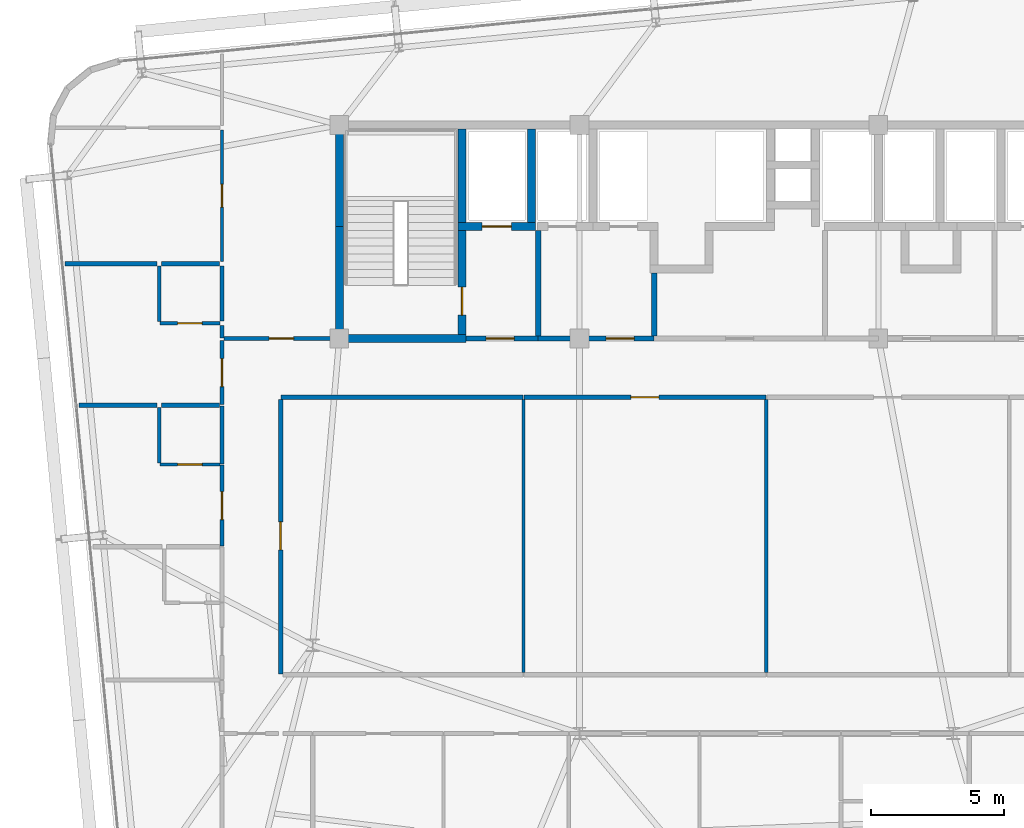
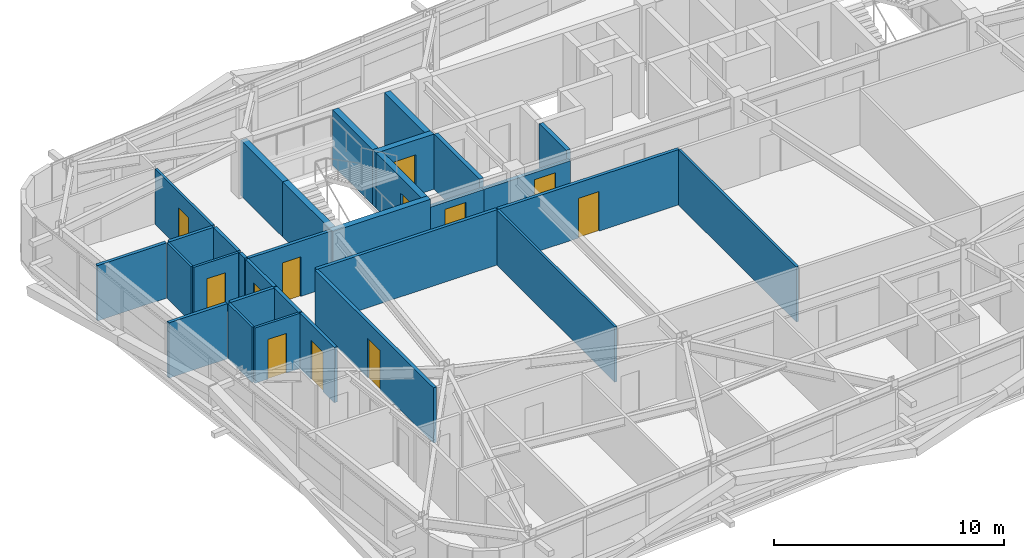
# One storey, part 47 of 53: 31 walls, 12 doors, 12 openings.
"""IFC4 building model written with IfcOpenShell, lengths in metres."""

from ifc_helpers import new_model, si_unit, direction, frame, frame_2d, origin, place, context, subcontext, project, spatial, rectangle, extrude, source, transform, mapped, material, layer, layer_set, type_object, element, fill, save


model = new_model("IFC4")

# Units and contexts
model_context = context("Model", 3, precision=1e-05, world=origin(), true_north=direction((0.0, 1.0)))
body_context = subcontext(model_context, "Body", "Model", "MODEL_VIEW")
ifc_project = project(units=[si_unit("LENGTHUNIT", "METRE"), si_unit("AREAUNIT", "SQUARE_METRE"), si_unit("VOLUMEUNIT", "CUBIC_METRE"), si_unit("PLANEANGLEUNIT", "RADIAN"), si_unit("MASSUNIT", "GRAM", prefix="KILO")], contexts=[model_context])

# Site, building, storey
site_placement = place(None, origin())
site = spatial("IfcSite", under=ifc_project, at=site_placement, CompositionType="ELEMENT")
building_placement = place(site_placement, origin())
building = spatial("IfcBuilding", under=site, at=building_placement, Name="Taldren Reach Tower", CompositionType="ELEMENT")
storey_placement = place(building_placement, frame((0.0, 0.0, 68.25)))
storey = spatial("IfcBuildingStorey", under=building, at=storey_placement, Name="L20", CompositionType="ELEMENT", Elevation=68.25)

# Wall, opening, door
ifc_material_1 = material(Name="Concrete S50 (50 MPa)", Category="concrete")
ifc_layer_1 = layer(ifc_material_1, 0.199951171875)
ifc_layer_set_1 = layer_set([ifc_layer_1], Name="Concrete S50 (50 MPa)")
wall_type_1 = type_object("IfcWallType", Name="IW-CORE-200", PredefinedType="SOLIDWALL", material=ifc_layer_set_1)
shared_shape_1 = source(origin(), body_context, "Body", "SweptSolid", [
    extrude(rectangle(XDim=4.35009765625, YDim=0.199951171875, at=frame_2d((2.175048828125, 0.0))), origin(), (0.0, 0.0, 1.0), 2.469970703125),
])
wall_1_placement = place(storey_placement, frame((30.800048828125, 24.0, 0.0), z_axis=(0.0, 0.0, 1.0), x_axis=(-1.0, 0.0, 0.0)))
wall_1 = element("IfcWall", 1, at=wall_1_placement, inside=storey, type_object=wall_type_1, Name="Rear Core Shear Wall W-INT-L20-033", PredefinedType="SOLIDWALL", context=body_context, shape_type="MappedRepresentation", body=[
    mapped(shared_shape_1, transform((0.0, 0.0, 0.0), scale=1.0)),
])
shared_shape_2 = source(origin(), body_context, "Body", "SweptSolid", [
    extrude(rectangle(XDim=1.050048828125, YDim=2.10009765625, at=frame_2d((0.52490234375, 1.050048828125))), frame((0.0, 0.10986328125, 0.0), z_axis=(0.0, -1.0, 0.0), x_axis=(1.0, 0.0, 0.0)), (0.0, 0.0, 1.0), 0.219970703125),
])
opening_1_placement = place(wall_1_placement, frame((0.75, 0.0, 0.0)))
opening_1 = element("IfcOpeningElement", 2, at=opening_1_placement, cuts=wall_1, Name="Opening DF-105", PredefinedType="OPENING", context=body_context, shape_type="MappedRepresentation", body=[
    mapped(shared_shape_2, transform((0.0, 0.0, 0.0), scale=1.0)),
])
ifc_material_2 = material(Name="Fire-Rated Care and Stair Exit Door")
door_type_1 = type_object("IfcDoorType", Name="ID-FIRE-105", OperationType="NOTDEFINED", PredefinedType="DOOR", material=ifc_material_2)
shared_shape_3 = source(origin(), body_context, "Body", "SweptSolid", [
    extrude(rectangle(XDim=1.050048828125, YDim=2.10009765625, at=frame_2d((0.52490234375, 1.050048828125))), frame((0.0, 0.02490234375, 0.0), z_axis=(0.0, -1.0, 0.0), x_axis=(1.0, 0.0, 0.0)), (0.0, 0.0, 1.0), 0.050048828125),
])
door_1_placement = place(opening_1_placement, frame((1.050048828125, 0.0, 0.0), z_axis=(0.0, 0.0, 1.0), x_axis=(-1.0, 0.0, 0.0)))
door_1 = element("IfcDoor", 3, at=door_1_placement, inside=storey, type_object=door_type_1, Name="Interior Door DR-L20-005", OperationType="SINGLE_SWING_RIGHT", OverallHeight=2.10009765625, OverallWidth=1.050048828125, PredefinedType="DOOR", context=body_context, shape_type="MappedRepresentation", body=[
    mapped(shared_shape_3, transform((0.0, 0.0, 0.0), scale=1.0)),
])
fill(opening_1, door_1)

ifc_material_3 = material(Name="Fire-Rated Acoustic Plasterboard Stud Wall", Category="gypsum")
ifc_layer_2 = layer(ifc_material_3, 0.159912109375)
ifc_layer_set_2 = layer_set([ifc_layer_2], Name="Fire-Rated Acoustic Plasterboard Stud Wall")
wall_type_2 = type_object("IfcWallType", Name="IW-FIRE-160", PredefinedType="PARTITIONING", material=ifc_layer_set_2)
shared_shape_4 = source(origin(), body_context, "Body", "SweptSolid", [
    extrude(rectangle(XDim=10.2998046875, YDim=0.159912109375, at=frame_2d((5.14990234375, 0.0))), origin(), (0.0, 0.0, 1.0), 2.929931640625),
])
wall_2_placement = place(storey_placement, frame((16.800048828125, 21.719970703125, 0.0), z_axis=(0.0, 0.0, 1.0), x_axis=(0.0, -1.0, 0.0)))
wall_2 = element("IfcWall", 4, at=wall_2_placement, inside=storey, type_object=wall_type_2, Name="Interior Partition Wall W-INT-L20-045", PredefinedType="PARTITIONING", context=body_context, shape_type="MappedRepresentation", body=[
    mapped(shared_shape_4, transform((0.0, 0.0, 0.0), scale=1.0)),
])
shared_shape_5 = source(origin(), body_context, "Body", "SweptSolid", [
    extrude(rectangle(XDim=1.050048828125, YDim=2.10009765625, at=frame_2d((0.52490234375, 1.050048828125))), frame((0.0, 0.08984375, 0.0), z_axis=(0.0, -1.0, 0.0), x_axis=(1.0, 0.0, 0.0)), (0.0, 0.0, 1.0), 0.179931640625),
])
opening_2_placement = place(wall_2_placement, frame((4.594970703125, 0.0, 0.0)))
opening_2 = element("IfcOpeningElement", 5, at=opening_2_placement, cuts=wall_2, Name="Opening DF-105", PredefinedType="OPENING", context=body_context, shape_type="MappedRepresentation", body=[
    mapped(shared_shape_5, transform((0.0, 0.0, 0.0), scale=1.0)),
])
door_2_placement = place(opening_2_placement, origin())
door_2 = element("IfcDoor", 6, at=door_2_placement, inside=storey, type_object=door_type_1, Name="Interior Door DR-L20-008", OperationType="SINGLE_SWING_LEFT", OverallHeight=2.10009765625, OverallWidth=1.050048828125, PredefinedType="DOOR", context=body_context, shape_type="MappedRepresentation", body=[
    mapped(shared_shape_3, transform((0.0, 0.0, 0.0), scale=1.0)),
])
fill(opening_2, door_2)

shared_shape_6 = source(origin(), body_context, "Body", "SweptSolid", [
    extrude(rectangle(XDim=2.399658203125, YDim=0.159912109375, at=frame_2d((1.19970703125, 0.0))), origin(), (0.0, 0.0, 1.0), 2.929931640625),
])
wall_3_placement = place(storey_placement, frame((14.60009765625, 21.520263671875, 0.0), z_axis=(0.0, 0.0, 1.0), x_axis=(0.0, 1.0, 0.0)))
wall_3 = element("IfcWall", 7, at=wall_3_placement, inside=storey, type_object=wall_type_2, Name="Interior Partition Wall W-INT-L20-058", PredefinedType="PARTITIONING", context=body_context, shape_type="MappedRepresentation", body=[
    mapped(shared_shape_6, transform((0.0, 0.0, 0.0), scale=1.0)),
])
opening_3_placement = place(wall_3_placement, frame((0.6748046875, 0.0, 0.0)))
opening_3 = element("IfcOpeningElement", 8, at=opening_3_placement, cuts=wall_3, Name="Opening DF-105", PredefinedType="OPENING", context=body_context, shape_type="MappedRepresentation", body=[
    mapped(shared_shape_5, transform((0.0, 0.0, 0.0), scale=1.0)),
])
door_3_placement = place(opening_3_placement, origin())
door_3 = element("IfcDoor", 9, at=door_3_placement, inside=storey, type_object=door_type_1, Name="Interior Door DR-L20-017", OperationType="SINGLE_SWING_RIGHT", OverallHeight=2.10009765625, OverallWidth=1.050048828125, PredefinedType="DOOR", context=body_context, shape_type="MappedRepresentation", body=[
    mapped(shared_shape_3, transform((0.0, 0.0, 0.0), scale=1.0)),
])
fill(opening_3, door_3)

# Walls
ifc_material_4 = material(Name="Insulated Residential Stud Partition", Category="gypsum")
ifc_layer_3 = layer(ifc_material_4, 0.1201171875)
ifc_layer_set_3 = layer_set([ifc_layer_3], Name="Insulated Residential Stud Partition")
wall_type_3 = type_object("IfcWallType", Name="IW-PART-120", PredefinedType="PARTITIONING", material=ifc_layer_set_3)
shared_shape_7 = source(origin(), body_context, "Body", "SweptSolid", [
    extrude(rectangle(XDim=10.239990234375, YDim=0.1201171875, at=frame_2d((5.1201171875, 0.0))), origin(), (0.0, 0.0, 1.0), 2.929931640625),
])
for number, where, z_axis, x_axis, name in (
    (10, (25.89990234375, 21.719970703125, 0.0), (0.0, 0.0, 1.0), (0.0, -1.0, 0.0), "Interior Partition Wall W-INT-L20-078"),
    (11, (35.0, 21.719970703125, 0.0), (0.0, 0.0, 1.0), (0.0, -1.0, 0.0), "Interior Partition Wall W-INT-L20-079"),
):
    element("IfcWall", number, at=place(storey_placement, frame(where, z_axis=z_axis, x_axis=x_axis)), inside=storey, type_object=wall_type_3, Name=name, PredefinedType="PARTITIONING", context=body_context, shape_type="MappedRepresentation", body=[
        mapped(shared_shape_7, transform((0.0, 0.0, 0.0), scale=1.0)),
    ])
ifc_material_5 = material(Name="Concrete S65 (65 MPa)", Category="concrete")
ifc_layer_4 = layer(ifc_material_5, 0.300048828125)
ifc_layer_set_4 = layer_set([ifc_layer_4], Name="Concrete S65 (65 MPa)")
wall_type_4 = type_object("IfcWallType", Name="IW-CORE-300", PredefinedType="SHEAR", material=ifc_layer_set_4)
shared_shape_8 = source(origin(), body_context, "Body", "SweptSolid", [
    extrude(rectangle(XDim=4.050048828125, YDim=0.300048828125, at=frame_2d((2.02490234375, 0.0))), origin(), (0.0, 0.0, 1.0), 2.929931640625),
])
wall_4_placement = place(storey_placement, frame((19.0, 24.14990234375, 0.0), z_axis=(0.0, 0.0, 1.0), x_axis=(0.0, 1.0, 0.0)))
element("IfcWall", 12, at=wall_4_placement, inside=storey, type_object=wall_type_4, Name="Rear Core Shear Wall W-CORE-L20-WEST1", PredefinedType="SHEAR", context=body_context, shape_type="MappedRepresentation", body=[
    mapped(shared_shape_8, transform((0.0, 0.0, 0.0), scale=1.0)),
])
shared_shape_9 = source(origin(), body_context, "Body", "SweptSolid", [
    extrude(rectangle(XDim=3.650146484375, YDim=0.300048828125, at=frame_2d((1.8251953125, 0.0))), origin(), (0.0, 0.0, 1.0), 2.929931640625),
])
wall_5_placement = place(storey_placement, frame((19.0, 28.199951171875, 0.0), z_axis=(0.0, 0.0, 1.0), x_axis=(0.0, 1.0, 0.0)))
element("IfcWall", 13, at=wall_5_placement, inside=storey, type_object=wall_type_4, Name="Rear Core Shear Wall W-CORE-L20-WEST2", PredefinedType="SHEAR", context=body_context, shape_type="MappedRepresentation", body=[
    mapped(shared_shape_9, transform((0.0, 0.0, 0.0), scale=1.0)),
])
shared_shape_10 = source(origin(), body_context, "Body", "SweptSolid", [
    extrude(rectangle(XDim=3.5, YDim=0.300048828125, at=frame_2d((1.75, 0.0))), origin(), (0.0, 0.0, 1.0), 2.929931640625),
])
for number, where, z_axis, x_axis, name in (
    (14, (23.60009765625, 28.35009765625, 0.0), (0.0, 0.0, 1.0), (0.0, 1.0, 0.0), "Rear Core Shear Wall W-INT-L20-001"),
    (15, (26.199951171875, 28.35009765625, 0.0), (0.0, 0.0, 1.0), (0.0, 1.0, 0.0), "Rear Core Shear Wall W-INT-L20-005"),
):
    element("IfcWall", number, at=place(storey_placement, frame(where, z_axis=z_axis, x_axis=x_axis)), inside=storey, type_object=wall_type_4, Name=name, PredefinedType="SHEAR", context=body_context, shape_type="MappedRepresentation", body=[
        mapped(shared_shape_10, transform((0.0, 0.0, 0.0), scale=1.0)),
    ])

# Wall, opening, door
shared_shape_11 = source(origin(), body_context, "Body", "SweptSolid", [
    extrude(rectangle(XDim=3.900146484375, YDim=0.300048828125, at=frame_2d((1.9501953125, 0.0))), origin(), (0.0, 0.0, 1.0), 2.929931640625),
])
wall_6_placement = place(storey_placement, frame((23.60009765625, 24.14990234375, 0.0), z_axis=(0.0, 0.0, 1.0), x_axis=(0.0, 1.0, 0.0)))
wall_6 = element("IfcWall", 16, at=wall_6_placement, inside=storey, type_object=wall_type_4, Name="Rear Core Shear Wall W-INT-L20-002", PredefinedType="SHEAR", context=body_context, shape_type="MappedRepresentation", body=[
    mapped(shared_shape_11, transform((0.0, 0.0, 0.0), scale=1.0)),
])
shared_shape_12 = source(origin(), body_context, "Body", "SweptSolid", [
    extrude(rectangle(XDim=1.050048828125, YDim=2.10009765625, at=frame_2d((0.52490234375, 1.050048828125))), frame((0.0, 0.16015625, 0.0), z_axis=(0.0, -1.0, 0.0), x_axis=(1.0, 0.0, 0.0)), (0.0, 0.0, 1.0), 0.320068359375),
])
opening_4_placement = place(wall_6_placement, frame((0.72509765625, 0.0, 0.0)))
opening_4 = element("IfcOpeningElement", 17, at=opening_4_placement, cuts=wall_6, Name="Opening DF-105", PredefinedType="OPENING", context=body_context, shape_type="MappedRepresentation", body=[
    mapped(shared_shape_12, transform((0.0, 0.0, 0.0), scale=1.0)),
])
door_4_placement = place(opening_4_placement, origin())
door_4 = element("IfcDoor", 18, at=door_4_placement, inside=storey, type_object=door_type_1, Name="Fire Exit Stair Door DR-L20-001", OperationType="SINGLE_SWING_LEFT", OverallHeight=2.10009765625, OverallWidth=1.050048828125, PredefinedType="DOOR", context=body_context, shape_type="MappedRepresentation", body=[
    mapped(shared_shape_3, transform((0.0, 0.0, 0.0), scale=1.0)),
])
fill(opening_4, door_4)

# Wall
shared_shape_13 = source(origin(), body_context, "Body", "SweptSolid", [
    extrude(rectangle(XDim=4.89990234375, YDim=0.300048828125, at=frame_2d((2.449951171875, 0.0))), origin(), (0.0, 0.0, 1.0), 2.929931640625),
])
wall_7_placement = place(storey_placement, frame((18.85009765625, 24.0, 0.0), z_axis=(0.0, 0.0, 1.0), x_axis=(1.0, 0.0, 0.0)))
element("IfcWall", 19, at=wall_7_placement, inside=storey, type_object=wall_type_4, Name="Rear Core Shear Wall W-INT-L20-003", PredefinedType="SHEAR", context=body_context, shape_type="MappedRepresentation", body=[
    mapped(shared_shape_13, transform((0.0, 0.0, 0.0), scale=1.0)),
])

# Wall, opening, door
shared_shape_14 = source(origin(), body_context, "Body", "SweptSolid", [
    extrude(rectangle(XDim=2.900146484375, YDim=0.300048828125, at=frame_2d((1.4501953125, 0.0))), origin(), (0.0, 0.0, 1.0), 2.929931640625),
])
wall_8_placement = place(storey_placement, frame((23.449951171875, 28.199951171875, 0.0), z_axis=(0.0, 0.0, 1.0), x_axis=(1.0, 0.0, 0.0)))
wall_8 = element("IfcWall", 20, at=wall_8_placement, inside=storey, type_object=wall_type_4, Name="Rear Core Shear Wall W-INT-L20-004", PredefinedType="SHEAR", context=body_context, shape_type="MappedRepresentation", body=[
    mapped(shared_shape_14, transform((0.0, 0.0, 0.0), scale=1.0)),
])
shared_shape_15 = source(origin(), body_context, "Body", "SweptSolid", [
    extrude(rectangle(XDim=1.10009765625, YDim=2.14990234375, at=frame_2d((0.550048828125, 1.074951171875))), frame((0.0, 0.16015625, 0.0), z_axis=(0.0, -1.0, 0.0), x_axis=(1.0, 0.0, 0.0)), (0.0, 0.0, 1.0), 0.320068359375),
])
opening_5_placement = place(wall_8_placement, frame((0.89990234375, 0.0, 0.0)))
opening_5 = element("IfcOpeningElement", 21, at=opening_5_placement, cuts=wall_8, Name="Opening LD-FL1", PredefinedType="OPENING", context=body_context, shape_type="MappedRepresentation", body=[
    mapped(shared_shape_15, transform((0.0, 0.0, 0.0), scale=1.0)),
])
ifc_material_6 = material(Name="Stainless Steel Gr 316 Emergency Lift Landing Door", Category="steel")
door_type_2 = type_object("IfcDoorType", Name="LD-EMG-110", OperationType="SLIDING_TO_LEFT", PredefinedType="DOOR", material=ifc_material_6)
shared_shape_16 = source(origin(), body_context, "Body", "SweptSolid", [
    extrude(rectangle(XDim=1.10009765625, YDim=2.14990234375, at=frame_2d((0.550048828125, 1.074951171875))), frame((0.0, 0.02490234375, 0.0), z_axis=(0.0, -1.0, 0.0), x_axis=(1.0, 0.0, 0.0)), (0.0, 0.0, 1.0), 0.050048828125),
])
door_5_placement = place(opening_5_placement, origin())
door_5 = element("IfcDoor", 22, at=door_5_placement, inside=storey, type_object=door_type_2, Name="Lift Landing Door LD-FL1-L20", OperationType="SLIDING_TO_LEFT", OverallHeight=2.14990234375, OverallWidth=1.10009765625, PredefinedType="DOOR", context=body_context, shape_type="MappedRepresentation", body=[
    mapped(shared_shape_16, transform((0.0, 0.0, 0.0), scale=1.0)),
])
fill(opening_5, door_5)

# Wall
shared_shape_17 = source(origin(), body_context, "Body", "SweptSolid", [
    extrude(rectangle(XDim=3.949951171875, YDim=0.199951171875, at=frame_2d((1.97509765625, 0.0))), origin(), (0.0, 0.0, 1.0), 2.929931640625),
])
wall_9_placement = place(storey_placement, frame((26.449951171875, 24.10009765625, 0.0), z_axis=(0.0, 0.0, 1.0), x_axis=(0.0, 1.0, 0.0)))
element("IfcWall", 23, at=wall_9_placement, inside=storey, type_object=wall_type_1, Name="Rear Core Shear Wall W-INT-L20-006", PredefinedType="SOLIDWALL", context=body_context, shape_type="MappedRepresentation", body=[
    mapped(shared_shape_17, transform((0.0, 0.0, 0.0), scale=1.0)),
])

# Wall, opening, door
shared_shape_18 = source(origin(), body_context, "Body", "SweptSolid", [
    extrude(rectangle(XDim=2.699951171875, YDim=0.199951171875, at=frame_2d((1.35009765625, 0.0))), origin(), (0.0, 0.0, 1.0), 2.469970703125),
])
wall_10_placement = place(storey_placement, frame((23.75, 24.0, 0.0), z_axis=(0.0, 0.0, 1.0), x_axis=(1.0, 0.0, 0.0)))
wall_10 = element("IfcWall", 24, at=wall_10_placement, inside=storey, type_object=wall_type_1, Name="Rear Core Shear Wall W-INT-L20-007", PredefinedType="SOLIDWALL", context=body_context, shape_type="MappedRepresentation", body=[
    mapped(shared_shape_18, transform((0.0, 0.0, 0.0), scale=1.0)),
])
opening_6_placement = place(wall_10_placement, frame((0.75, 0.0, 0.0)))
opening_6 = element("IfcOpeningElement", 25, at=opening_6_placement, cuts=wall_10, Name="Opening DF-105", PredefinedType="OPENING", context=body_context, shape_type="MappedRepresentation", body=[
    mapped(shared_shape_2, transform((0.0, 0.0, 0.0), scale=1.0)),
])
door_6_placement = place(opening_6_placement, origin())
door_6 = element("IfcDoor", 26, at=door_6_placement, inside=storey, type_object=door_type_1, Name="Interior Door DR-L20-002", OperationType="SINGLE_SWING_LEFT", OverallHeight=2.10009765625, OverallWidth=1.050048828125, PredefinedType="DOOR", context=body_context, shape_type="MappedRepresentation", body=[
    mapped(shared_shape_3, transform((0.0, 0.0, 0.0), scale=1.0)),
])
fill(opening_6, door_6)

# Wall
shared_shape_19 = source(origin(), body_context, "Body", "SweptSolid", [
    extrude(rectangle(XDim=2.349853515625, YDim=0.199951171875, at=frame_2d((1.1748046875, 0.0))), origin(), (0.0, 0.0, 1.0), 2.929931640625),
])
wall_11_placement = place(storey_placement, frame((30.800048828125, 26.449951171875, 0.0), z_axis=(0.0, 0.0, 1.0), x_axis=(0.0, -1.0, 0.0)))
element("IfcWall", 27, at=wall_11_placement, inside=storey, type_object=wall_type_1, Name="Rear Core Shear Wall W-INT-L20-032", PredefinedType="SOLIDWALL", context=body_context, shape_type="MappedRepresentation", body=[
    mapped(shared_shape_19, transform((0.0, 0.0, 0.0), scale=1.0)),
])

# Wall, opening, door
shared_shape_20 = source(origin(), body_context, "Body", "SweptSolid", [
    extrude(rectangle(XDim=4.170166015625, YDim=0.159912109375, at=frame_2d((2.0849609375, 0.0))), origin(), (0.0, 0.0, 1.0), 2.929931640625),
])
wall_12_placement = place(storey_placement, frame((14.679931640625, 24.0, 0.0), z_axis=(0.0, 0.0, 1.0), x_axis=(1.0, 0.0, 0.0)))
wall_12 = element("IfcWall", 28, at=wall_12_placement, inside=storey, type_object=wall_type_2, Name="Interior Partition Wall W-INT-L20-063", PredefinedType="PARTITIONING", context=body_context, shape_type="MappedRepresentation", body=[
    mapped(shared_shape_20, transform((0.0, 0.0, 0.0), scale=1.0)),
])
shared_shape_21 = source(origin(), body_context, "Body", "SweptSolid", [
    extrude(rectangle(XDim=0.919921875, YDim=2.10009765625, at=frame_2d((0.4599609375, 1.050048828125))), frame((0.0, 0.08984375, 0.0), z_axis=(0.0, -1.0, 0.0), x_axis=(1.0, 0.0, 0.0)), (0.0, 0.0, 1.0), 0.179931640625),
])
opening_7_placement = place(wall_12_placement, frame((1.68994140625, 0.0, 0.0)))
opening_7 = element("IfcOpeningElement", 29, at=opening_7_placement, cuts=wall_12, Name="Opening DI-092", PredefinedType="OPENING", context=body_context, shape_type="MappedRepresentation", body=[
    mapped(shared_shape_21, transform((0.0, 0.0, 0.0), scale=1.0)),
])
ifc_material_7 = material(Name="Solid-Core Timber Suite Door", Category="wood")
door_type_3 = type_object("IfcDoorType", Name="ID-INT-092", OperationType="NOTDEFINED", PredefinedType="DOOR", material=ifc_material_7)
shared_shape_22 = source(origin(), body_context, "Body", "SweptSolid", [
    extrude(rectangle(XDim=0.919921875, YDim=2.10009765625, at=frame_2d((0.4599609375, 1.050048828125))), frame((0.0, 0.02490234375, 0.0), z_axis=(0.0, -1.0, 0.0), x_axis=(1.0, 0.0, 0.0)), (0.0, 0.0, 1.0), 0.050048828125),
])
door_7_placement = place(opening_7_placement, origin())
door_7 = element("IfcDoor", 30, at=door_7_placement, inside=storey, type_object=door_type_3, Name="Interior Door DR-L20-022", OperationType="SINGLE_SWING_LEFT", OverallHeight=2.10009765625, OverallWidth=0.919921875, PredefinedType="DOOR", context=body_context, shape_type="MappedRepresentation", body=[
    mapped(shared_shape_22, transform((0.0, 0.0, 0.0), scale=1.0)),
])
fill(opening_7, door_7)

shared_shape_23 = source(origin(), body_context, "Body", "SweptSolid", [
    extrude(rectangle(XDim=2.249755859375, YDim=0.1201171875, at=frame_2d((1.125, 0.0))), origin(), (0.0, 0.0, 1.0), 2.929931640625),
])
wall_13_placement = place(storey_placement, frame((12.270263671875, 19.27392578125, 0.0), z_axis=(0.0, 0.0, 1.0), x_axis=(1.0, 0.0, 0.0)))
wall_13 = element("IfcWall", 31, at=wall_13_placement, inside=storey, type_object=wall_type_3, Name="Interior Partition Wall W-INT-L20-119", PredefinedType="PARTITIONING", context=body_context, shape_type="MappedRepresentation", body=[
    mapped(shared_shape_23, transform((0.0, 0.0, 0.0), scale=1.0)),
])
shared_shape_24 = source(origin(), body_context, "Body", "SweptSolid", [
    extrude(rectangle(XDim=0.919921875, YDim=2.10009765625, at=frame_2d((0.4599609375, 1.050048828125))), frame((0.0, 0.070068359375, 0.0), z_axis=(0.0, -1.0, 0.0), x_axis=(1.0, 0.0, 0.0)), (0.0, 0.0, 1.0), 0.14013671875),
])
opening_8_placement = place(wall_13_placement, frame((0.664794921875, 0.0, 0.0)))
opening_8 = element("IfcOpeningElement", 32, at=opening_8_placement, cuts=wall_13, Name="Opening DI-092", PredefinedType="OPENING", context=body_context, shape_type="MappedRepresentation", body=[
    mapped(shared_shape_24, transform((0.0, 0.0, 0.0), scale=1.0)),
])
door_8_placement = place(opening_8_placement, origin())
door_8 = element("IfcDoor", 33, at=door_8_placement, inside=storey, type_object=door_type_3, Name="Interior Door DR-L20-036", OperationType="SINGLE_SWING_LEFT", OverallHeight=2.10009765625, OverallWidth=0.919921875, PredefinedType="DOOR", context=body_context, shape_type="MappedRepresentation", body=[
    mapped(shared_shape_22, transform((0.0, 0.0, 0.0), scale=1.0)),
])
fill(opening_8, door_8)

wall_14_placement = place(storey_placement, frame((12.270263671875, 24.573974609375, 0.0), z_axis=(0.0, 0.0, 1.0), x_axis=(1.0, 0.0, 0.0)))
wall_14 = element("IfcWall", 34, at=wall_14_placement, inside=storey, type_object=wall_type_3, Name="Interior Partition Wall W-INT-L20-123", PredefinedType="PARTITIONING", context=body_context, shape_type="MappedRepresentation", body=[
    mapped(shared_shape_23, transform((0.0, 0.0, 0.0), scale=1.0)),
])
opening_9_placement = place(wall_14_placement, frame((0.664794921875, 0.0, 0.0)))
opening_9 = element("IfcOpeningElement", 35, at=opening_9_placement, cuts=wall_14, Name="Opening DI-092", PredefinedType="OPENING", context=body_context, shape_type="MappedRepresentation", body=[
    mapped(shared_shape_24, transform((0.0, 0.0, 0.0), scale=1.0)),
])
door_9_placement = place(opening_9_placement, origin())
door_9 = element("IfcDoor", 36, at=door_9_placement, inside=storey, type_object=door_type_3, Name="Interior Door DR-L20-037", OperationType="SINGLE_SWING_RIGHT", OverallHeight=2.10009765625, OverallWidth=0.919921875, PredefinedType="DOOR", context=body_context, shape_type="MappedRepresentation", body=[
    mapped(shared_shape_22, transform((0.0, 0.0, 0.0), scale=1.0)),
])
fill(opening_9, door_9)

# Walls
shared_shape_25 = source(origin(), body_context, "Body", "SweptSolid", [
    extrude(rectangle(XDim=2.18798828125, YDim=0.159912109375, at=frame_2d((1.093994140625, 0.0))), origin(), (0.0, 0.0, 1.0), 2.929931640625),
])
for number, where, z_axis, x_axis, name in (
    (37, (12.330078125, 21.5, 0.0), (0.0, 0.0, 1.0), (1.0, 0.0, 0.0), "Interior Partition Wall W-INT-L20-122"),
    (38, (12.330078125, 26.800048828125, 0.0), (0.0, 0.0, 1.0), (1.0, 0.0, 0.0), "Interior Partition Wall W-INT-L20-127"),
):
    element("IfcWall", number, at=place(storey_placement, frame(where, z_axis=z_axis, x_axis=x_axis)), inside=storey, type_object=wall_type_2, Name=name, PredefinedType="PARTITIONING", context=body_context, shape_type="MappedRepresentation", body=[
        mapped(shared_shape_25, transform((0.0, 0.0, 0.0), scale=1.0)),
    ])
shared_shape_26 = source(origin(), body_context, "Body", "SweptSolid", [
    extrude(rectangle(XDim=9.0595703125, YDim=0.159912109375, at=frame_2d((4.52978515625, 0.0))), origin(), (0.0, 0.0, 1.0), 2.929931640625),
])
wall_15_placement = place(storey_placement, frame((25.8798828125, 21.800048828125, 0.0), z_axis=(0.0, 0.0, 1.0), x_axis=(-1.0, 0.0, 0.0)))
element("IfcWall", 39, at=wall_15_placement, inside=storey, type_object=wall_type_2, Name="Interior Partition Wall W-INT-L20-046", PredefinedType="PARTITIONING", context=body_context, shape_type="MappedRepresentation", body=[
    mapped(shared_shape_26, transform((0.0, 0.0, 0.0), scale=1.0)),
])

# Wall, opening, door
wall_16_placement = place(storey_placement, frame((34.979736328125, 21.800048828125, 0.0), z_axis=(0.0, 0.0, 1.0), x_axis=(-1.0, 0.0, 0.0)))
wall_16 = element("IfcWall", 40, at=wall_16_placement, inside=storey, type_object=wall_type_2, Name="Interior Partition Wall W-INT-L20-047", PredefinedType="PARTITIONING", context=body_context, shape_type="MappedRepresentation", body=[
    mapped(shared_shape_26, transform((0.0, 0.0, 0.0), scale=1.0)),
])
opening_10_placement = place(wall_16_placement, frame((4.0048828125, 0.0, 0.0)))
opening_10 = element("IfcOpeningElement", 41, at=opening_10_placement, cuts=wall_16, Name="Opening DF-105", PredefinedType="OPENING", context=body_context, shape_type="MappedRepresentation", body=[
    mapped(shared_shape_5, transform((0.0, 0.0, 0.0), scale=1.0)),
])
door_10_placement = place(opening_10_placement, origin())
door_10 = element("IfcDoor", 42, at=door_10_placement, inside=storey, type_object=door_type_1, Name="Interior Door DR-L20-009", OperationType="SINGLE_SWING_RIGHT", OverallHeight=2.10009765625, OverallWidth=1.050048828125, PredefinedType="DOOR", context=body_context, shape_type="MappedRepresentation", body=[
    mapped(shared_shape_3, transform((0.0, 0.0, 0.0), scale=1.0)),
])
fill(opening_10, door_10)

shared_shape_27 = source(origin(), body_context, "Body", "SweptSolid", [
    extrude(rectangle(XDim=3.03369140625, YDim=0.159912109375, at=frame_2d((1.516845703125, 0.0))), origin(), (0.0, 0.0, 1.0), 2.929931640625),
])
wall_17_placement = place(storey_placement, frame((14.60009765625, 16.22021484375, 0.0), z_axis=(0.0, 0.0, 1.0), x_axis=(0.0, 1.0, 0.0)))
wall_17 = element("IfcWall", 43, at=wall_17_placement, inside=storey, type_object=wall_type_2, Name="Interior Partition Wall W-INT-L20-056", PredefinedType="PARTITIONING", context=body_context, shape_type="MappedRepresentation", body=[
    mapped(shared_shape_27, transform((0.0, 0.0, 0.0), scale=1.0)),
])
opening_11_placement = place(wall_17_placement, frame((0.99169921875, 0.0, 0.0)))
opening_11 = element("IfcOpeningElement", 44, at=opening_11_placement, cuts=wall_17, Name="Opening DF-105", PredefinedType="OPENING", context=body_context, shape_type="MappedRepresentation", body=[
    mapped(shared_shape_5, transform((0.0, 0.0, 0.0), scale=1.0)),
])
door_11_placement = place(opening_11_placement, origin())
door_11 = element("IfcDoor", 45, at=door_11_placement, inside=storey, type_object=door_type_1, Name="Interior Door DR-L20-016", OperationType="SINGLE_SWING_LEFT", OverallHeight=2.10009765625, OverallWidth=1.050048828125, PredefinedType="DOOR", context=body_context, shape_type="MappedRepresentation", body=[
    mapped(shared_shape_3, transform((0.0, 0.0, 0.0), scale=1.0)),
])
fill(opening_11, door_11)

# Walls
shared_shape_28 = source(origin(), body_context, "Body", "SweptSolid", [
    extrude(rectangle(XDim=2.185546875, YDim=0.159912109375, at=frame_2d((1.0927734375, 0.0))), origin(), (0.0, 0.0, 1.0), 2.929931640625),
])
wall_18_placement = place(storey_placement, frame((14.60009765625, 19.294189453125, 0.0), z_axis=(0.0, 0.0, 1.0), x_axis=(0.0, 1.0, 0.0)))
element("IfcWall", 46, at=wall_18_placement, inside=storey, type_object=wall_type_2, Name="Interior Partition Wall W-INT-L20-057", PredefinedType="PARTITIONING", context=body_context, shape_type="MappedRepresentation", body=[
    mapped(shared_shape_28, transform((0.0, 0.0, 0.0), scale=1.0)),
])
shared_shape_29 = source(origin(), body_context, "Body", "SweptSolid", [
    extrude(rectangle(XDim=2.0859375, YDim=0.1201171875, at=frame_2d((1.04296875, 0.0))), origin(), (0.0, 0.0, 1.0), 2.929931640625),
])
for number, where, z_axis, x_axis, name in (
    (47, (12.25, 21.419921875, 0.0), (0.0, 0.0, 1.0), (0.0, -1.0, 0.0), "Interior Partition Wall W-INT-L20-120"),
    (48, (12.25, 26.719970703125, 0.0), (0.0, 0.0, 1.0), (0.0, -1.0, 0.0), "Interior Partition Wall W-INT-L20-124"),
):
    element("IfcWall", number, at=place(storey_placement, frame(where, z_axis=z_axis, x_axis=x_axis)), inside=storey, type_object=wall_type_3, Name=name, PredefinedType="PARTITIONING", context=body_context, shape_type="MappedRepresentation", body=[
        mapped(shared_shape_29, transform((0.0, 0.0, 0.0), scale=1.0)),
    ])
shared_shape_30 = source(origin(), body_context, "Body", "SweptSolid", [
    extrude(rectangle(XDim=2.928955078125, YDim=0.159912109375, at=frame_2d((1.46435546875, 0.0))), origin(), (0.0, 0.0, 1.0), 2.929931640625),
])
wall_19_placement = place(storey_placement, frame((9.240966796875, 21.5, 0.0), z_axis=(0.0, 0.0, 1.0), x_axis=(1.0, 0.0, 0.0)))
element("IfcWall", 49, at=wall_19_placement, inside=storey, type_object=wall_type_2, Name="Interior Partition Wall W-INT-L20-121", PredefinedType="PARTITIONING", context=body_context, shape_type="MappedRepresentation", body=[
    mapped(shared_shape_30, transform((0.0, 0.0, 0.0), scale=1.0)),
])
shared_shape_31 = source(origin(), body_context, "Body", "SweptSolid", [
    extrude(rectangle(XDim=3.44873046875, YDim=0.159912109375, at=frame_2d((1.724365234375, 0.0))), origin(), (0.0, 0.0, 1.0), 2.929931640625),
])
wall_20_placement = place(storey_placement, frame((8.72119140625, 26.800048828125, 0.0), z_axis=(0.0, 0.0, 1.0), x_axis=(1.0, 0.0, 0.0)))
element("IfcWall", 50, at=wall_20_placement, inside=storey, type_object=wall_type_2, Name="Interior Partition Wall W-INT-L20-125", PredefinedType="PARTITIONING", context=body_context, shape_type="MappedRepresentation", body=[
    mapped(shared_shape_31, transform((0.0, 0.0, 0.0), scale=1.0)),
])
shared_shape_32 = source(origin(), body_context, "Body", "SweptSolid", [
    extrude(rectangle(XDim=0.4736328125, YDim=0.159912109375, at=frame_2d((0.23681640625, 0.0))), origin(), (0.0, 0.0, 1.0), 2.929931640625),
])
wall_21_placement = place(storey_placement, frame((14.60009765625, 24.493896484375, 0.0), z_axis=(0.0, 0.0, 1.0), x_axis=(0.0, -1.0, 0.0)))
element("IfcWall", 51, at=wall_21_placement, inside=storey, type_object=wall_type_2, Name="Interior Partition Wall W-INT-L20-126", PredefinedType="PARTITIONING", context=body_context, shape_type="MappedRepresentation", body=[
    mapped(shared_shape_32, transform((0.0, 0.0, 0.0), scale=1.0)),
])
shared_shape_33 = source(origin(), body_context, "Body", "SweptSolid", [
    extrude(rectangle(XDim=2.06396484375, YDim=0.159912109375, at=frame_2d((1.031982421875, 0.0))), origin(), (0.0, 0.0, 1.0), 2.929931640625),
])
wall_22_placement = place(storey_placement, frame((14.60009765625, 26.718017578125, 0.0), z_axis=(0.0, 0.0, 1.0), x_axis=(0.0, -1.0, 0.0)))
element("IfcWall", 52, at=wall_22_placement, inside=storey, type_object=wall_type_2, Name="Interior Partition Wall W-INT-L20-128", PredefinedType="PARTITIONING", context=body_context, shape_type="MappedRepresentation", body=[
    mapped(shared_shape_33, transform((0.0, 0.0, 0.0), scale=1.0)),
])

# Wall, opening, door
shared_shape_34 = source(origin(), body_context, "Body", "SweptSolid", [
    extrude(rectangle(XDim=4.940185546875, YDim=0.1201171875, at=frame_2d((2.47021484375, 0.0))), origin(), (0.0, 0.0, 1.0), 2.929931640625),
])
wall_23_placement = place(storey_placement, frame((14.60009765625, 31.820068359375, 0.0), z_axis=(0.0, 0.0, 1.0), x_axis=(0.0, -1.0, 0.0)))
wall_23 = element("IfcWall", 53, at=wall_23_placement, inside=storey, type_object=wall_type_3, Name="Interior Partition Wall W-INT-L20-130", PredefinedType="PARTITIONING", context=body_context, shape_type="MappedRepresentation", body=[
    mapped(shared_shape_34, transform((0.0, 0.0, 0.0), scale=1.0)),
])
shared_shape_35 = source(origin(), body_context, "Body", "SweptSolid", [
    extrude(rectangle(XDim=0.860107421875, YDim=2.10009765625, at=frame_2d((0.43017578125, 1.050048828125))), frame((0.0, 0.070068359375, 0.0), z_axis=(0.0, -1.0, 0.0), x_axis=(1.0, 0.0, 0.0)), (0.0, 0.0, 1.0), 0.14013671875),
])
opening_12_placement = place(wall_23_placement, frame((2.0400390625, 0.0, 0.0)))
opening_12 = element("IfcOpeningElement", 54, at=opening_12_placement, cuts=wall_23, Name="Opening DI-086", PredefinedType="OPENING", context=body_context, shape_type="MappedRepresentation", body=[
    mapped(shared_shape_35, transform((0.0, 0.0, 0.0), scale=1.0)),
])
ifc_material_8 = material(Name="Timber Bathroom Door", Category="wood")
door_type_4 = type_object("IfcDoorType", Name="ID-INT-086", OperationType="NOTDEFINED", PredefinedType="DOOR", material=ifc_material_8)
shared_shape_36 = source(origin(), body_context, "Body", "SweptSolid", [
    extrude(rectangle(XDim=0.860107421875, YDim=2.10009765625, at=frame_2d((0.43017578125, 1.050048828125))), frame((0.0, 0.02490234375, 0.0), z_axis=(0.0, -1.0, 0.0), x_axis=(1.0, 0.0, 0.0)), (0.0, 0.0, 1.0), 0.050048828125),
])
door_12_placement = place(opening_12_placement, frame((0.860107421875, 0.0, 0.0), z_axis=(0.0, 0.0, 1.0), x_axis=(-1.0, 0.0, 0.0)))
door_12 = element("IfcDoor", 55, at=door_12_placement, inside=storey, type_object=door_type_4, Name="Interior Door DR-L20-038", OperationType="SINGLE_SWING_RIGHT", OverallHeight=2.10009765625, OverallWidth=0.860107421875, PredefinedType="DOOR", context=body_context, shape_type="MappedRepresentation", body=[
    mapped(shared_shape_36, transform((0.0, 0.0, 0.0), scale=1.0)),
])
fill(opening_12, door_12)

save(model, "model.ifc")
